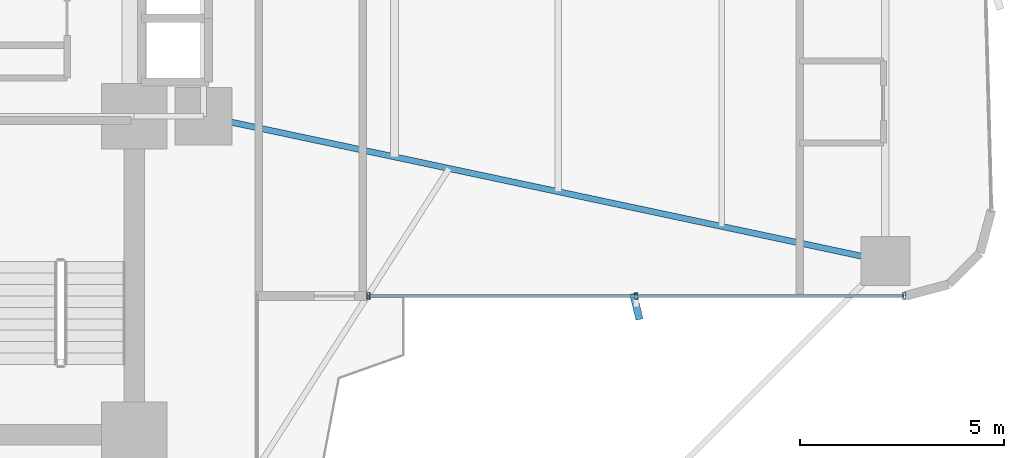
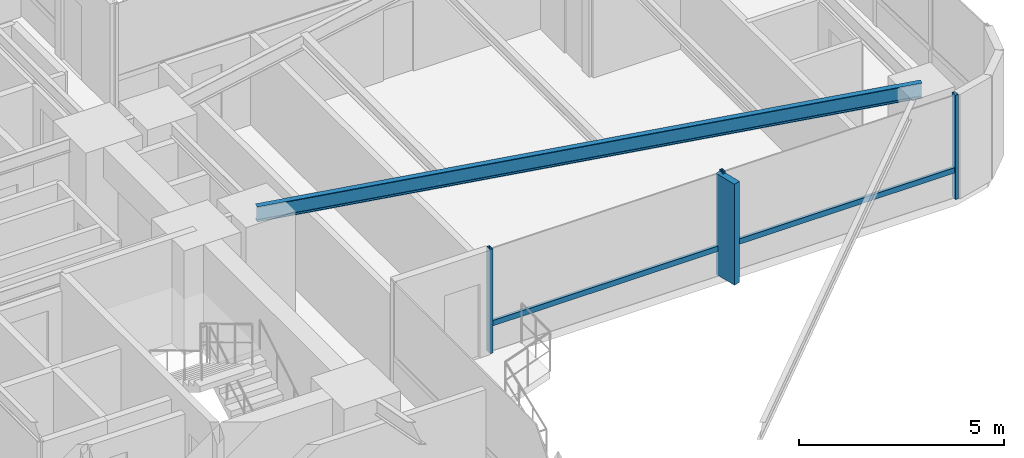
# One storey, part 14 of 25: 6 members, 1 beam, 1 element without a shape of its own.
"""IFC4 building model written with IfcOpenShell, lengths in metres."""

from ifc_helpers import new_model, si_unit, direction, frame, origin, origin_2d, place, context, subcontext, project, spatial, rectangle, hollow_rectangle, i_section, extrude, source, transform, mapped, material, material_profile, profile_set, type_object, element, aggregate, save


model = new_model("IFC4")

# Units and contexts
model_context = context("Model", 3, precision=1e-05, world=origin(), true_north=direction((0.0, 1.0)))
body_context = subcontext(model_context, "Body", "Model", "MODEL_VIEW")
ifc_project = project(units=[si_unit("LENGTHUNIT", "METRE"), si_unit("AREAUNIT", "SQUARE_METRE"), si_unit("VOLUMEUNIT", "CUBIC_METRE"), si_unit("PLANEANGLEUNIT", "RADIAN"), si_unit("MASSUNIT", "GRAM", prefix="KILO")], contexts=[model_context])

# Site, building, storey
site_placement = place(None, origin())
site = spatial("IfcSite", under=ifc_project, at=site_placement, CompositionType="ELEMENT")
building_placement = place(site_placement, origin())
building = spatial("IfcBuilding", under=site, at=building_placement, Name="Sahyath Konkavel Grand Hotel", CompositionType="ELEMENT")
storey_placement = place(building_placement, frame((0.0, 0.0, 36.5)))
storey = spatial("IfcBuildingStorey", under=building, at=storey_placement, Name="L09", CompositionType="ELEMENT", Elevation=36.5)

# Beam
ifc_material_1 = material(Name="Steel E350", Category="steel")
ifc_material_profile_1 = material_profile(ifc_material_1, i_section(OverallWidth=0.14990234375, OverallDepth=0.449951171875, WebThickness=0.009521484375, FlangeThickness=0.017333984375, FilletRadius=0.014892578125, at=origin_2d()), Name="ISMB 450")
ifc_profile_set_1 = profile_set([ifc_material_profile_1], Name="Steel E350")
beam_type = type_object("IfcBeamType", Name="BM-ISMB450", PredefinedType="BEAM", material=ifc_profile_set_1)
shared_shape_1 = source(origin(), body_context, "Body", "SweptSolid", [
    extrude(i_section(OverallWidth=0.14990234375, OverallDepth=0.449951171875, WebThickness=0.009521484375, FlangeThickness=0.017333984375, FilletRadius=0.014892578125, at=origin_2d()), origin(), (0.0, 0.0, 1.0), 17.072998046875),
])
beam_placement = place(storey_placement, frame((5.5, -2.39990234375, 2.885009765625), z_axis=(0.978143257225, -0.20793212437, 0.0), x_axis=(0.20793212437, 0.978143257225, 0.0)))
element("IfcBeam", 1, at=beam_placement, inside=storey, type_object=beam_type, Name="L09 Cruciform Radial Girder EA", PredefinedType="BEAM", context=body_context, shape_type="MappedRepresentation", body=[
    mapped(shared_shape_1, transform((0.0, 0.0, 0.0), scale=1.0)),
])

# Curtain wall, members
ifc_material_2 = material(Name="Anodised Bronze Aluminium & Low-E Glazing", Category="aluminium")
curtain_wall_type = type_object("IfcCurtainWallType", Name="CW-ZONE1", PredefinedType="NOTDEFINED", material=ifc_material_2)
curtain_wall_placement = place(storey_placement, origin())
curtain_wall = element("IfcCurtainWall", 2, at=curtain_wall_placement, inside=storey, type_object=curtain_wall_type, Name="L09 Unitised Curtain Wall F0", PredefinedType="NOTDEFINED")
ifc_material_3 = material(Name="Warm Buff Sandstone Cladding on Concrete C50/60", Category="masonry")
ifc_material_profile_2 = material_profile(ifc_material_3, rectangle(XDim=0.179931640625, YDim=0.64990234375, at=origin_2d()), Name="FIN 180x650")
ifc_profile_set_2 = profile_set([ifc_material_profile_2], Name="Warm Buff Sandstone Cladding on Concrete C50/60")
member_type_1 = type_object("IfcMemberType", Name="FIN-SANDSTONE-650", PredefinedType="MULLION", material=ifc_profile_set_2)
shared_shape_2 = source(origin(), body_context, "Body", "SweptSolid", [
    extrude(rectangle(XDim=0.179931640625, YDim=0.64990234375, at=origin_2d()), origin(), (0.0, 0.0, 1.0), 3.010009765625),
])
member_1_placement = place(storey_placement, frame((16.10009765625, -7.06005859375, 0.050048828125), z_axis=(0.0, 0.0, 1.0), x_axis=(0.972369920398, 0.233445363856, 0.0)))
member_1 = element("IfcMember", 3, at=member_1_placement, type_object=member_type_1, Name="L09 Sandstone Vertical Solar Fin FIN F0-1", PredefinedType="MULLION", context=body_context, shape_type="MappedRepresentation", body=[
    mapped(shared_shape_2, transform((0.0, 0.0, 0.0), scale=1.0)),
])
ifc_material_4 = material(Name="Anodised Bronze Aluminium", Category="aluminium")
ifc_material_profile_3 = material_profile(ifc_material_4, hollow_rectangle(XDim=0.080078125, YDim=0.159912109375, WallThickness=0.006103515625, at=origin_2d()), Name="RHS 160x80x6")
ifc_profile_set_3 = profile_set([ifc_material_profile_3], Name="Anodised Bronze Aluminium")
member_type_2 = type_object("IfcMemberType", Name="CW-MUL-160", PredefinedType="MULLION", material=ifc_profile_set_3)
shared_shape_3 = source(origin(), body_context, "Body", "SweptSolid", [
    extrude(hollow_rectangle(XDim=0.080078125, YDim=0.159912109375, WallThickness=0.006103515625, at=origin_2d()), origin(), (0.0, 0.0, 1.0), 3.110107421875),
])
member_2_placement = place(storey_placement, frame((9.5400390625, -6.800048828125, 0.0), z_axis=(0.0, 0.0, 1.0), x_axis=(1.0, 0.0, 0.0)))
member_2 = element("IfcMember", 4, at=member_2_placement, type_object=member_type_2, Name="L09 Curtain Wall Mullion F0-0", PredefinedType="MULLION", context=body_context, shape_type="MappedRepresentation", body=[
    mapped(shared_shape_3, transform((0.0, 0.0, 0.0), scale=1.0)),
])
member_3_placement = place(storey_placement, frame((16.10009765625, -6.800048828125, 0.0), z_axis=(0.0, 0.0, 1.0), x_axis=(1.0, 0.0, 0.0)))
member_3 = element("IfcMember", 5, at=member_3_placement, type_object=member_type_2, Name="L09 Curtain Wall Mullion F0-1", PredefinedType="MULLION", context=body_context, shape_type="MappedRepresentation", body=[
    mapped(shared_shape_3, transform((0.0, 0.0, 0.0), scale=1.0)),
])
member_4_placement = place(storey_placement, frame((22.659912109375, -6.800048828125, 0.0), z_axis=(0.0, 0.0, 1.0), x_axis=(1.0, 0.0, 0.0)))
member_4 = element("IfcMember", 6, at=member_4_placement, type_object=member_type_2, Name="L09 Curtain Wall Mullion F0-2", PredefinedType="MULLION", context=body_context, shape_type="MappedRepresentation", body=[
    mapped(shared_shape_3, transform((0.0, 0.0, 0.0), scale=1.0)),
])
ifc_material_profile_4 = material_profile(ifc_material_4, hollow_rectangle(XDim=0.080078125, YDim=0.159912109375, WallThickness=0.006103515625, at=origin_2d()), Name="RHS 160x80x6")
ifc_profile_set_4 = profile_set([ifc_material_profile_4], Name="Anodised Bronze Aluminium")
member_type_3 = type_object("IfcMemberType", Name="CW-TRN-160", PredefinedType="USERDEFINED", material=ifc_profile_set_4)
shared_shape_4 = source(origin(), body_context, "Body", "SweptSolid", [
    extrude(hollow_rectangle(XDim=0.080078125, YDim=0.159912109375, WallThickness=0.006103515625, at=origin_2d()), origin(), (0.0, 0.0, 1.0), 6.56005859375),
])
member_5_placement = place(storey_placement, frame((9.5400390625, -6.800048828125, 0.85009765625), z_axis=(1.0, 0.0, 0.0), x_axis=(0.0, 1.0, 0.0)))
member_5 = element("IfcMember", 7, at=member_5_placement, type_object=member_type_3, Name="L09 Curtain Wall Transom F0-0-spandrel", ObjectType="TRANSOM", PredefinedType="USERDEFINED", context=body_context, shape_type="MappedRepresentation", body=[
    mapped(shared_shape_4, transform((0.0, 0.0, 0.0), scale=1.0)),
])
shared_shape_5 = source(origin(), body_context, "Body", "SweptSolid", [
    extrude(hollow_rectangle(XDim=0.080078125, YDim=0.159912109375, WallThickness=0.006103515625, at=origin_2d()), origin(), (0.0, 0.0, 1.0), 6.559814453125),
])
member_6_placement = place(storey_placement, frame((16.10009765625, -6.800048828125, 0.85009765625), z_axis=(1.0, 0.0, 0.0), x_axis=(0.0, 1.0, 0.0)))
member_6 = element("IfcMember", 8, at=member_6_placement, type_object=member_type_3, Name="L09 Curtain Wall Transom F0-1-spandrel", ObjectType="TRANSOM", PredefinedType="USERDEFINED", context=body_context, shape_type="MappedRepresentation", body=[
    mapped(shared_shape_5, transform((0.0, 0.0, 0.0), scale=1.0)),
])
aggregate(curtain_wall, [member_2, member_3, member_1, member_4, member_5, member_6])

save(model, "model.ifc")
